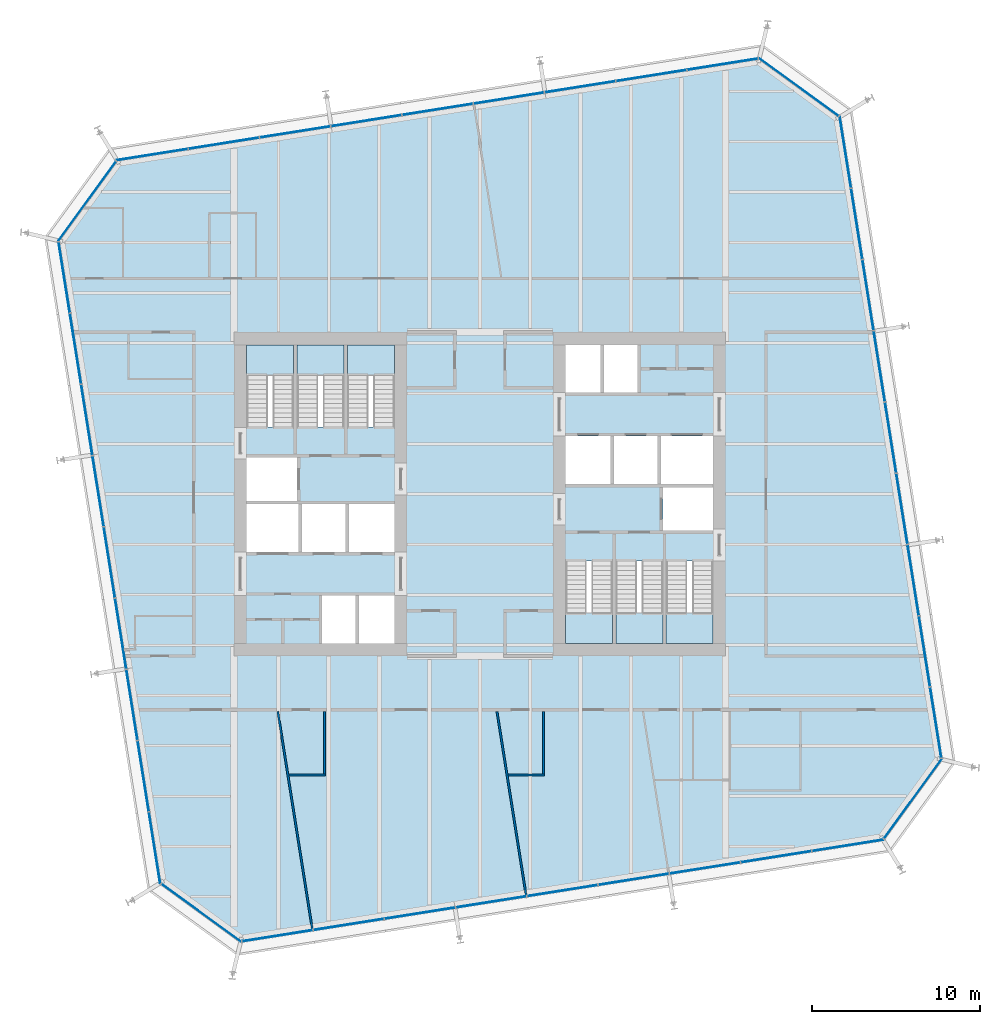
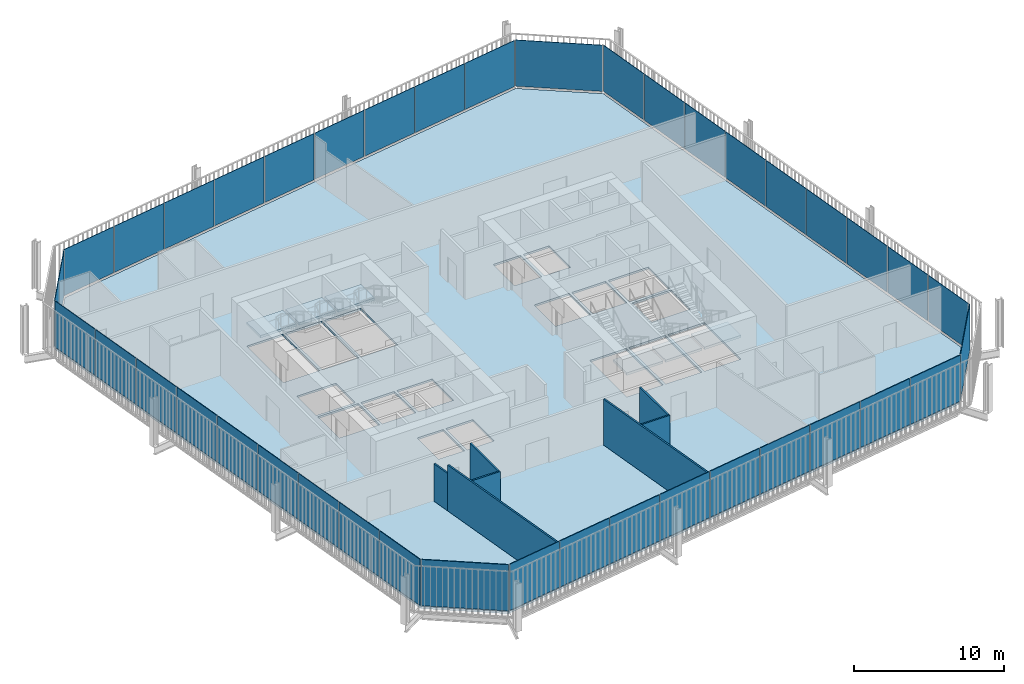
# One storey, part 16 of 21: 40 plates, 7 slabs, 7 walls, 14 elements without a shape of their own.
"""IFC4 building model written with IfcOpenShell, lengths in metres."""

from ifc_helpers import new_model, si_unit, direction, frame, frame_2d, origin, place, context, subcontext, project, spatial, polyline, rectangle, outline, extrude, material, layer, layer_set, type_object, element, aggregate, save


model = new_model("IFC4")

# Units and contexts
model_context = context("Model", 3, precision=1e-05, world=origin(), true_north=direction((0.0, 1.0)))
body_context = subcontext(model_context, "Body", "Model", "MODEL_VIEW")
ifc_project = project(units=[si_unit("LENGTHUNIT", "METRE"), si_unit("AREAUNIT", "SQUARE_METRE"), si_unit("VOLUMEUNIT", "CUBIC_METRE"), si_unit("PLANEANGLEUNIT", "RADIAN"), si_unit("MASSUNIT", "GRAM", prefix="KILO")], contexts=[model_context])

# Site, building, storey
site_placement = place(None, origin())
site = spatial("IfcSite", under=ifc_project, at=site_placement, CompositionType="ELEMENT")
building_placement = place(site_placement, origin())
building = spatial("IfcBuilding", under=site, at=building_placement, Name="Millrace Tower", CompositionType="ELEMENT")
storey_placement = place(building_placement, frame((0.0, 0.0, 164.60009765625)))
storey = spatial("IfcBuildingStorey", under=building, at=storey_placement, Name="L37", CompositionType="ELEMENT", Elevation=164.60009765625)

# Curtain wall, plate
ifc_material_1 = material(Name="Aluminium and glass", Category="aluminium")
ifc_layer_1 = layer(ifc_material_1, 0.14990234375)
ifc_layer_set_1 = layer_set([ifc_layer_1], Name="Aluminium and glass")
curtain_wall_type = type_object("IfcCurtainWallType", Name="CW-1 office vision curtain wall", PredefinedType="NOTDEFINED", material=ifc_layer_set_1)
placement_1 = place(storey_placement, origin())
curtain_wall_1 = element("IfcCurtainWall", 1, at=placement_1, inside=storey, type_object=curtain_wall_type, Name="Curtain wall C-F01 L37", PredefinedType="NOTDEFINED")
ifc_material_2 = material(Name="Glass", Category="glass")
ifc_layer_2 = layer(ifc_material_2, 0.0439453125)
ifc_layer_set_2 = layer_set([ifc_layer_2], Name="Glass")
plate_type = type_object("IfcPlateType", Name="CW-1 office vision curtain wall triple-glazed vision panel", PredefinedType="CURTAIN_PANEL", material=ifc_layer_set_2)
placement_2 = place(storey_placement, frame((0.0, 0.0, 0.139892578125)))
plate_1 = element("IfcPlate", 2, at=placement_2, type_object=plate_type, Name="CW1 panel C-F01.1", PredefinedType="CURTAIN_PANEL", context=body_context, shape_type="SweptSolid", body=[
    extrude(outline(polyline([(-18.988037109375, -23.254638671875), (-14.260009765625, -26.689697265625), (-14.2490234375, -26.6435546875), (-18.962158203125, -23.218994140625), (-18.988037109375, -23.254638671875)])), origin(), (0.0, 0.0, 1.0), 3.760009765625),
])
aggregate(curtain_wall_1, [plate_1])

# Curtain wall, plates
curtain_wall_2 = element("IfcCurtainWall", 3, at=placement_1, inside=storey, type_object=curtain_wall_type, Name="Curtain wall C-F02 L37", PredefinedType="NOTDEFINED")
plate_2 = element("IfcPlate", 4, at=placement_2, type_object=plate_type, Name="CW1 panel C-F02.1", PredefinedType="CURTAIN_PANEL", context=body_context, shape_type="SweptSolid", body=[
    extrude(outline(polyline([(-14.15625, -26.67333984375), (-9.973388671875, -26.0107421875), (-9.980224609375, -25.96728515625), (-14.1630859375, -26.6298828125), (-14.15625, -26.67333984375)])), origin(), (0.0, 0.0, 1.0), 3.760009765625),
])
plate_3 = element("IfcPlate", 5, at=placement_2, type_object=plate_type, Name="CW1 panel C-F02.2", PredefinedType="CURTAIN_PANEL", context=body_context, shape_type="SweptSolid", body=[
    extrude(outline(polyline([(-9.9091796875, -26.000732421875), (-5.726318359375, -25.338134765625), (-5.733154296875, -25.294677734375), (-9.916015625, -25.957275390625), (-9.9091796875, -26.000732421875)])), origin(), (0.0, 0.0, 1.0), 3.760009765625),
])
plate_4 = element("IfcPlate", 6, at=placement_2, type_object=plate_type, Name="CW1 panel C-F02.3", PredefinedType="CURTAIN_PANEL", context=body_context, shape_type="SweptSolid", body=[
    extrude(outline(polyline([(-5.662109375, -25.327880859375), (-1.479248046875, -24.66552734375), (-1.486083984375, -24.6220703125), (-5.6689453125, -25.284423828125), (-5.662109375, -25.327880859375)])), origin(), (0.0, 0.0, 1.0), 3.760009765625),
])
plate_5 = element("IfcPlate", 7, at=placement_2, type_object=plate_type, Name="CW1 panel C-F02.4", PredefinedType="CURTAIN_PANEL", context=body_context, shape_type="SweptSolid", body=[
    extrude(outline(polyline([(-1.4150390625, -24.6552734375), (2.767822265625, -23.992919921875), (2.760986328125, -23.949462890625), (-1.421875, -24.61181640625), (-1.4150390625, -24.6552734375)])), origin(), (0.0, 0.0, 1.0), 3.760009765625),
])
plate_6 = element("IfcPlate", 8, at=placement_2, type_object=plate_type, Name="CW1 panel C-F02.5", PredefinedType="CURTAIN_PANEL", context=body_context, shape_type="SweptSolid", body=[
    extrude(outline(polyline([(2.83203125, -23.982666015625), (7.014892578125, -23.320068359375), (7.008056640625, -23.276611328125), (2.8251953125, -23.939208984375), (2.83203125, -23.982666015625)])), origin(), (0.0, 0.0, 1.0), 3.760009765625),
])
plate_7 = element("IfcPlate", 9, at=placement_2, type_object=plate_type, Name="CW1 panel C-F02.6", PredefinedType="CURTAIN_PANEL", context=body_context, shape_type="SweptSolid", body=[
    extrude(outline(polyline([(7.0791015625, -23.31005859375), (11.261962890625, -22.6474609375), (11.255126953125, -22.60400390625), (7.072265625, -23.2666015625), (7.0791015625, -23.31005859375)])), origin(), (0.0, 0.0, 1.0), 3.760009765625),
])
plate_8 = element("IfcPlate", 10, at=placement_2, type_object=plate_type, Name="CW1 panel C-F02.7", PredefinedType="CURTAIN_PANEL", context=body_context, shape_type="SweptSolid", body=[
    extrude(outline(polyline([(11.326171875, -22.63720703125), (15.509033203125, -21.974853515625), (15.502197265625, -21.931396484375), (11.3193359375, -22.59375), (11.326171875, -22.63720703125)])), origin(), (0.0, 0.0, 1.0), 3.760009765625),
])
plate_9 = element("IfcPlate", 11, at=placement_2, type_object=plate_type, Name="CW1 panel C-F02.8", PredefinedType="CURTAIN_PANEL", context=body_context, shape_type="SweptSolid", body=[
    extrude(outline(polyline([(15.5732421875, -21.964599609375), (19.756103515625, -21.30224609375), (19.749267578125, -21.2587890625), (15.56640625, -21.921142578125), (15.5732421875, -21.964599609375)])), origin(), (0.0, 0.0, 1.0), 3.760009765625),
])
plate_10 = element("IfcPlate", 12, at=placement_2, type_object=plate_type, Name="CW1 panel C-F02.9", PredefinedType="CURTAIN_PANEL", context=body_context, shape_type="SweptSolid", body=[
    extrude(outline(polyline([(19.8203125, -21.2919921875), (24.042724609375, -20.623291015625), (24.01806640625, -20.58251953125), (19.8134765625, -21.24853515625), (19.8203125, -21.2919921875)])), origin(), (0.0, 0.0, 1.0), 3.760009765625),
])
aggregate(curtain_wall_2, [plate_2, plate_3, plate_4, plate_5, plate_6, plate_7, plate_8, plate_9, plate_10])

# Curtain wall, plate
curtain_wall_3 = element("IfcCurtainWall", 13, at=placement_1, inside=storey, type_object=curtain_wall_type, Name="Curtain wall C-F03 L37", PredefinedType="NOTDEFINED")
plate_11 = element("IfcPlate", 14, at=placement_2, type_object=plate_type, Name="CW1 panel C-F03.1", PredefinedType="CURTAIN_PANEL", context=body_context, shape_type="SweptSolid", body=[
    extrude(outline(polyline([(24.104736328125, -20.5380859375), (27.539794921875, -15.81005859375), (27.493408203125, -15.799072265625), (24.069091796875, -20.51220703125), (24.104736328125, -20.5380859375)])), origin(), (0.0, 0.0, 1.0), 3.760009765625),
])
aggregate(curtain_wall_3, [plate_11])

# Curtain wall, plates
curtain_wall_4 = element("IfcCurtainWall", 15, at=placement_1, inside=storey, type_object=curtain_wall_type, Name="Curtain wall C-F04 L37", PredefinedType="NOTDEFINED")
plate_12 = element("IfcPlate", 16, at=placement_2, type_object=plate_type, Name="CW1 panel C-F04.1", PredefinedType="CURTAIN_PANEL", context=body_context, shape_type="SweptSolid", body=[
    extrude(outline(polyline([(27.5234375, -15.706298828125), (26.86083984375, -11.5234375), (26.8173828125, -11.5302734375), (27.47998046875, -15.713134765625), (27.5234375, -15.706298828125)])), origin(), (0.0, 0.0, 1.0), 3.760009765625),
])
plate_13 = element("IfcPlate", 17, at=placement_2, type_object=plate_type, Name="CW1 panel C-F04.2", PredefinedType="CURTAIN_PANEL", context=body_context, shape_type="SweptSolid", body=[
    extrude(outline(polyline([(26.8505859375, -11.459228515625), (26.188232421875, -7.2763671875), (26.144775390625, -7.283203125), (26.80712890625, -11.466064453125), (26.8505859375, -11.459228515625)])), origin(), (0.0, 0.0, 1.0), 3.760009765625),
])
plate_14 = element("IfcPlate", 18, at=placement_2, type_object=plate_type, Name="CW1 panel C-F04.3", PredefinedType="CURTAIN_PANEL", context=body_context, shape_type="SweptSolid", body=[
    extrude(outline(polyline([(26.177978515625, -7.212158203125), (25.515380859375, -3.029296875), (25.471923828125, -3.0361328125), (26.134521484375, -7.218994140625), (26.177978515625, -7.212158203125)])), origin(), (0.0, 0.0, 1.0), 3.760009765625),
])
plate_15 = element("IfcPlate", 19, at=placement_2, type_object=plate_type, Name="CW1 panel C-F04.4", PredefinedType="CURTAIN_PANEL", context=body_context, shape_type="SweptSolid", body=[
    extrude(outline(polyline([(25.50537109375, -2.965087890625), (24.8427734375, 1.2177734375), (24.79931640625, 1.2109375), (25.4619140625, -2.971923828125), (25.50537109375, -2.965087890625)])), origin(), (0.0, 0.0, 1.0), 3.760009765625),
])
plate_16 = element("IfcPlate", 20, at=placement_2, type_object=plate_type, Name="CW1 panel C-F04.5", PredefinedType="CURTAIN_PANEL", context=body_context, shape_type="SweptSolid", body=[
    extrude(outline(polyline([(24.832763671875, 1.281982421875), (24.170166015625, 5.46484375), (24.126708984375, 5.4580078125), (24.789306640625, 1.275146484375), (24.832763671875, 1.281982421875)])), origin(), (0.0, 0.0, 1.0), 3.760009765625),
])
plate_17 = element("IfcPlate", 21, at=placement_2, type_object=plate_type, Name="CW1 panel C-F04.6", PredefinedType="CURTAIN_PANEL", context=body_context, shape_type="SweptSolid", body=[
    extrude(outline(polyline([(24.159912109375, 5.529052734375), (23.49755859375, 9.7119140625), (23.4541015625, 9.705078125), (24.116455078125, 5.522216796875), (24.159912109375, 5.529052734375)])), origin(), (0.0, 0.0, 1.0), 3.760009765625),
])
plate_18 = element("IfcPlate", 22, at=placement_2, type_object=plate_type, Name="CW1 panel C-F04.7", PredefinedType="CURTAIN_PANEL", context=body_context, shape_type="SweptSolid", body=[
    extrude(outline(polyline([(23.4873046875, 9.776123046875), (22.82470703125, 13.958984375), (22.78125, 13.9521484375), (23.44384765625, 9.769287109375), (23.4873046875, 9.776123046875)])), origin(), (0.0, 0.0, 1.0), 3.760009765625),
])
plate_19 = element("IfcPlate", 23, at=placement_2, type_object=plate_type, Name="CW1 panel C-F04.8", PredefinedType="CURTAIN_PANEL", context=body_context, shape_type="SweptSolid", body=[
    extrude(outline(polyline([(22.814697265625, 14.023193359375), (22.152099609375, 18.2060546875), (22.108642578125, 18.19921875), (22.771240234375, 14.016357421875), (22.814697265625, 14.023193359375)])), origin(), (0.0, 0.0, 1.0), 3.760009765625),
])
plate_20 = element("IfcPlate", 24, at=placement_2, type_object=plate_type, Name="CW1 panel C-F04.9", PredefinedType="CURTAIN_PANEL", context=body_context, shape_type="SweptSolid", body=[
    extrude(outline(polyline([(22.14208984375, 18.270263671875), (21.47314453125, 22.492919921875), (21.4326171875, 22.468017578125), (22.0986328125, 18.263427734375), (22.14208984375, 18.270263671875)])), origin(), (0.0, 0.0, 1.0), 3.760009765625),
])
aggregate(curtain_wall_4, [plate_12, plate_13, plate_14, plate_15, plate_16, plate_17, plate_18, plate_19, plate_20])

# Curtain wall, plate
curtain_wall_5 = element("IfcCurtainWall", 25, at=placement_1, inside=storey, type_object=curtain_wall_type, Name="Curtain wall C-F05 L37", PredefinedType="NOTDEFINED")
plate_21 = element("IfcPlate", 26, at=placement_2, type_object=plate_type, Name="CW1 panel C-F05.1", PredefinedType="CURTAIN_PANEL", context=body_context, shape_type="SweptSolid", body=[
    extrude(outline(polyline([(21.38818359375, 22.5546875), (16.66015625, 25.98974609375), (16.64892578125, 25.943359375), (21.3623046875, 22.51904296875), (21.38818359375, 22.5546875)])), origin(), (0.0, 0.0, 1.0), 3.760009765625),
])
aggregate(curtain_wall_5, [plate_21])

# Curtain wall, plates
curtain_wall_6 = element("IfcCurtainWall", 27, at=placement_1, inside=storey, type_object=curtain_wall_type, Name="Curtain wall C-F06 L37", PredefinedType="NOTDEFINED")
plate_22 = element("IfcPlate", 28, at=placement_2, type_object=plate_type, Name="CW1 panel C-F06.1", PredefinedType="CURTAIN_PANEL", context=body_context, shape_type="SweptSolid", body=[
    extrude(outline(polyline([(16.55615234375, 25.973388671875), (12.373291015625, 25.310791015625), (12.380126953125, 25.267333984375), (16.56298828125, 25.929931640625), (16.55615234375, 25.973388671875)])), origin(), (0.0, 0.0, 1.0), 3.760009765625),
])
plate_23 = element("IfcPlate", 29, at=placement_2, type_object=plate_type, Name="CW1 panel C-F06.2", PredefinedType="CURTAIN_PANEL", context=body_context, shape_type="SweptSolid", body=[
    extrude(outline(polyline([(12.30908203125, 25.300537109375), (8.126220703125, 24.63818359375), (8.133056640625, 24.5947265625), (12.31591796875, 25.257080078125), (12.30908203125, 25.300537109375)])), origin(), (0.0, 0.0, 1.0), 3.760009765625),
])
plate_24 = element("IfcPlate", 30, at=placement_2, type_object=plate_type, Name="CW1 panel C-F06.3", PredefinedType="CURTAIN_PANEL", context=body_context, shape_type="SweptSolid", body=[
    extrude(outline(polyline([(8.06201171875, 24.6279296875), (3.879150390625, 23.965576171875), (3.885986328125, 23.922119140625), (8.06884765625, 24.58447265625), (8.06201171875, 24.6279296875)])), origin(), (0.0, 0.0, 1.0), 3.760009765625),
])
plate_25 = element("IfcPlate", 31, at=placement_2, type_object=plate_type, Name="CW1 panel C-F06.4", PredefinedType="CURTAIN_PANEL", context=body_context, shape_type="SweptSolid", body=[
    extrude(outline(polyline([(3.81494140625, 23.955322265625), (-0.367919921875, 23.292724609375), (-0.361083984375, 23.249267578125), (3.82177734375, 23.911865234375), (3.81494140625, 23.955322265625)])), origin(), (0.0, 0.0, 1.0), 3.760009765625),
])
plate_26 = element("IfcPlate", 32, at=placement_2, type_object=plate_type, Name="CW1 panel C-F06.5", PredefinedType="CURTAIN_PANEL", context=body_context, shape_type="SweptSolid", body=[
    extrude(outline(polyline([(-0.43212890625, 23.28271484375), (-4.614990234375, 22.6201171875), (-4.60791015625, 22.57666015625), (-0.42529296875, 23.2392578125), (-0.43212890625, 23.28271484375)])), origin(), (0.0, 0.0, 1.0), 3.760009765625),
])
plate_27 = element("IfcPlate", 33, at=placement_2, type_object=plate_type, Name="CW1 panel C-F06.6", PredefinedType="CURTAIN_PANEL", context=body_context, shape_type="SweptSolid", body=[
    extrude(outline(polyline([(-4.67919921875, 22.60986328125), (-8.862060546875, 21.947509765625), (-8.85498046875, 21.904052734375), (-4.672119140625, 22.56640625), (-4.67919921875, 22.60986328125)])), origin(), (0.0, 0.0, 1.0), 3.760009765625),
])
plate_28 = element("IfcPlate", 34, at=placement_2, type_object=plate_type, Name="CW1 panel C-F06.7", PredefinedType="CURTAIN_PANEL", context=body_context, shape_type="SweptSolid", body=[
    extrude(outline(polyline([(-8.92626953125, 21.937255859375), (-13.109130859375, 21.27490234375), (-13.10205078125, 21.2314453125), (-8.919189453125, 21.893798828125), (-8.92626953125, 21.937255859375)])), origin(), (0.0, 0.0, 1.0), 3.760009765625),
])
plate_29 = element("IfcPlate", 35, at=placement_2, type_object=plate_type, Name="CW1 panel C-F06.8", PredefinedType="CURTAIN_PANEL", context=body_context, shape_type="SweptSolid", body=[
    extrude(outline(polyline([(-13.17333984375, 21.2646484375), (-17.356201171875, 20.60205078125), (-17.34912109375, 20.55859375), (-13.166259765625, 21.22119140625), (-13.17333984375, 21.2646484375)])), origin(), (0.0, 0.0, 1.0), 3.760009765625),
])
plate_30 = element("IfcPlate", 36, at=placement_2, type_object=plate_type, Name="CW1 panel C-F06.9", PredefinedType="CURTAIN_PANEL", context=body_context, shape_type="SweptSolid", body=[
    extrude(outline(polyline([(-17.42041015625, 20.592041015625), (-21.642822265625, 19.923095703125), (-21.617919921875, 19.882568359375), (-17.413330078125, 20.548583984375), (-17.42041015625, 20.592041015625)])), origin(), (0.0, 0.0, 1.0), 3.760009765625),
])
aggregate(curtain_wall_6, [plate_22, plate_23, plate_24, plate_25, plate_26, plate_27, plate_28, plate_29, plate_30])

# Curtain wall, plate
curtain_wall_7 = element("IfcCurtainWall", 37, at=placement_1, inside=storey, type_object=curtain_wall_type, Name="Curtain wall C-F07 L37", PredefinedType="NOTDEFINED")
plate_31 = element("IfcPlate", 38, at=placement_2, type_object=plate_type, Name="CW1 panel C-F07.1", PredefinedType="CURTAIN_PANEL", context=body_context, shape_type="SweptSolid", body=[
    extrude(outline(polyline([(-21.70458984375, 19.838134765625), (-25.139892578125, 15.110107421875), (-25.093505859375, 15.098876953125), (-21.6689453125, 19.812255859375), (-21.70458984375, 19.838134765625)])), origin(), (0.0, 0.0, 1.0), 3.760009765625),
])
aggregate(curtain_wall_7, [plate_31])

# Curtain wall, plates
curtain_wall_8 = element("IfcCurtainWall", 39, at=placement_1, inside=storey, type_object=curtain_wall_type, Name="Curtain wall C-F08 L37", PredefinedType="NOTDEFINED")
plate_32 = element("IfcPlate", 40, at=placement_2, type_object=plate_type, Name="CW1 panel C-F08.1", PredefinedType="CURTAIN_PANEL", context=body_context, shape_type="SweptSolid", body=[
    extrude(outline(polyline([(-25.123291015625, 15.006103515625), (-24.4609375, 10.8232421875), (-24.41748046875, 10.830322265625), (-25.079833984375, 15.01318359375), (-25.123291015625, 15.006103515625)])), origin(), (0.0, 0.0, 1.0), 3.760009765625),
])
plate_33 = element("IfcPlate", 41, at=placement_2, type_object=plate_type, Name="CW1 panel C-F08.2", PredefinedType="CURTAIN_PANEL", context=body_context, shape_type="SweptSolid", body=[
    extrude(outline(polyline([(-24.45068359375, 10.759033203125), (-23.7880859375, 6.576171875), (-23.74462890625, 6.583251953125), (-24.4072265625, 10.76611328125), (-24.45068359375, 10.759033203125)])), origin(), (0.0, 0.0, 1.0), 3.760009765625),
])
plate_34 = element("IfcPlate", 42, at=placement_2, type_object=plate_type, Name="CW1 panel C-F08.3", PredefinedType="CURTAIN_PANEL", context=body_context, shape_type="SweptSolid", body=[
    extrude(outline(polyline([(-23.778076171875, 6.511962890625), (-23.115478515625, 2.3291015625), (-23.072021484375, 2.336181640625), (-23.734619140625, 6.51904296875), (-23.778076171875, 6.511962890625)])), origin(), (0.0, 0.0, 1.0), 3.760009765625),
])
plate_35 = element("IfcPlate", 43, at=placement_2, type_object=plate_type, Name="CW1 panel C-F08.4", PredefinedType="CURTAIN_PANEL", context=body_context, shape_type="SweptSolid", body=[
    extrude(outline(polyline([(-23.105224609375, 2.264892578125), (-22.44287109375, -1.91796875), (-22.3994140625, -1.910888671875), (-23.061767578125, 2.27197265625), (-23.105224609375, 2.264892578125)])), origin(), (0.0, 0.0, 1.0), 3.760009765625),
])
plate_36 = element("IfcPlate", 44, at=placement_2, type_object=plate_type, Name="CW1 panel C-F08.5", PredefinedType="CURTAIN_PANEL", context=body_context, shape_type="SweptSolid", body=[
    extrude(outline(polyline([(-22.4326171875, -1.98193359375), (-21.770263671875, -6.164794921875), (-21.726806640625, -6.157958984375), (-22.38916015625, -1.97509765625), (-22.4326171875, -1.98193359375)])), origin(), (0.0, 0.0, 1.0), 3.760009765625),
])
plate_37 = element("IfcPlate", 45, at=placement_2, type_object=plate_type, Name="CW1 panel C-F08.6", PredefinedType="CURTAIN_PANEL", context=body_context, shape_type="SweptSolid", body=[
    extrude(outline(polyline([(-21.760009765625, -6.22900390625), (-21.097412109375, -10.411865234375), (-21.053955078125, -10.405029296875), (-21.716552734375, -6.22216796875), (-21.760009765625, -6.22900390625)])), origin(), (0.0, 0.0, 1.0), 3.760009765625),
])
plate_38 = element("IfcPlate", 46, at=placement_2, type_object=plate_type, Name="CW1 panel C-F08.7", PredefinedType="CURTAIN_PANEL", context=body_context, shape_type="SweptSolid", body=[
    extrude(outline(polyline([(-21.08740234375, -10.47607421875), (-20.4248046875, -14.658935546875), (-20.38134765625, -14.652099609375), (-21.0439453125, -10.46923828125), (-21.08740234375, -10.47607421875)])), origin(), (0.0, 0.0, 1.0), 3.760009765625),
])
plate_39 = element("IfcPlate", 47, at=placement_2, type_object=plate_type, Name="CW1 panel C-F08.8", PredefinedType="CURTAIN_PANEL", context=body_context, shape_type="SweptSolid", body=[
    extrude(outline(polyline([(-20.41455078125, -14.72314453125), (-19.752197265625, -18.906005859375), (-19.708740234375, -18.899169921875), (-20.37109375, -14.71630859375), (-20.41455078125, -14.72314453125)])), origin(), (0.0, 0.0, 1.0), 3.760009765625),
])
plate_40 = element("IfcPlate", 48, at=placement_2, type_object=plate_type, Name="CW1 panel C-F08.9", PredefinedType="CURTAIN_PANEL", context=body_context, shape_type="SweptSolid", body=[
    extrude(outline(polyline([(-19.741943359375, -18.97021484375), (-19.0732421875, -23.19287109375), (-19.032470703125, -23.16796875), (-19.698486328125, -18.96337890625), (-19.741943359375, -18.97021484375)])), origin(), (0.0, 0.0, 1.0), 3.760009765625),
])
aggregate(curtain_wall_8, [plate_32, plate_33, plate_34, plate_35, plate_36, plate_37, plate_38, plate_39, plate_40])

# Slab
ifc_material_3 = material(Name="Concrete C35 on steel deck", Category="concrete")
ifc_layer_3 = layer(ifc_material_3, 0.159912109375)
ifc_layer_set_3 = layer_set([ifc_layer_3], Name="Concrete C35 on steel deck")
slab_type_1 = type_object("IfcSlabType", Name="Composite floor slab 160 mm", PredefinedType="FLOOR", material=ifc_layer_set_3)
slab_1_placement = place(storey_placement, frame((0.0, 0.0, -0.16015625)))
element("IfcSlab", 49, at=slab_1_placement, inside=storey, type_object=slab_type_1, Name="SL-C-L37-S1", PredefinedType="FLOOR", context=body_context, shape_type="SweptSolid", body=[
    extrude(outline(polyline([(-18.983642578125, -23.137939453125), (-14.235595703125, -26.587646484375), (23.988037109375, -20.53369140625), (27.437744140625, -15.78564453125), (21.3837890625, 22.43798828125), (16.635498046875, 25.8876953125), (-21.587890625, 19.833740234375), (-25.03759765625, 15.08544921875), (-18.983642578125, -23.137939453125)]), holes=[polyline([(-9.39990234375, -8.89990234375), (-7.39990234375, -8.89990234375), (-7.39990234375, -6.050048828125), (-9.39990234375, -6.050048828125), (-9.39990234375, -8.89990234375)]), polyline([(-7.199951171875, -8.89990234375), (-5.10009765625, -8.89990234375), (-5.10009765625, -6.050048828125), (-7.199951171875, -6.050048828125), (-7.199951171875, -8.89990234375)]), polyline([(-13.89990234375, -3.449951171875), (-10.800048828125, -3.449951171875), (-10.800048828125, -0.60009765625), (-13.89990234375, -0.60009765625), (-13.89990234375, -3.449951171875)]), polyline([(-10.60009765625, -3.449951171875), (-8.0, -3.449951171875), (-8.0, -0.60009765625), (-10.60009765625, -0.60009765625), (-10.60009765625, -3.449951171875)]), polyline([(-7.800048828125, -3.449951171875), (-5.10009765625, -3.449951171875), (-5.10009765625, -0.60009765625), (-7.800048828125, -0.60009765625), (-7.800048828125, -3.449951171875)]), polyline([(-13.89990234375, -0.39990234375), (-10.89990234375, -0.39990234375), (-10.89990234375, 2.179931640625), (-13.89990234375, 2.179931640625), (-13.89990234375, -0.39990234375)]), polyline([(-13.89990234375, 4.0), (-11.10009765625, 4.0), (-11.10009765625, 8.89990234375), (-13.89990234375, 8.89990234375), (-13.89990234375, 4.0)]), polyline([(-10.89990234375, 4.0), (-8.10009765625, 4.0), (-8.10009765625, 8.89990234375), (-10.89990234375, 8.89990234375), (-10.89990234375, 4.0)]), polyline([(-7.89990234375, 4.0), (-5.10009765625, 4.0), (-5.10009765625, 8.89990234375), (-7.89990234375, 8.89990234375), (-7.89990234375, 4.0)]), polyline([(7.39990234375, 6.050048828125), (9.39990234375, 6.050048828125), (9.39990234375, 8.89990234375), (7.39990234375, 8.89990234375), (7.39990234375, 6.050048828125)]), polyline([(5.10009765625, 6.050048828125), (7.199951171875, 6.050048828125), (7.199951171875, 8.89990234375), (5.10009765625, 8.89990234375), (5.10009765625, 6.050048828125)]), polyline([(10.800048828125, 0.60009765625), (13.89990234375, 0.60009765625), (13.89990234375, 3.449951171875), (10.800048828125, 3.449951171875), (10.800048828125, 0.60009765625)]), polyline([(8.0, 0.60009765625), (10.60009765625, 0.60009765625), (10.60009765625, 3.449951171875), (8.0, 3.449951171875), (8.0, 0.60009765625)]), polyline([(5.10009765625, 0.60009765625), (7.800048828125, 0.60009765625), (7.800048828125, 3.449951171875), (5.10009765625, 3.449951171875), (5.10009765625, 0.60009765625)]), polyline([(10.89990234375, -2.179931640625), (13.89990234375, -2.179931640625), (13.89990234375, 0.39990234375), (10.89990234375, 0.39990234375), (10.89990234375, -2.179931640625)]), polyline([(11.10009765625, -8.89990234375), (13.89990234375, -8.89990234375), (13.89990234375, -4.0), (11.10009765625, -4.0), (11.10009765625, -8.89990234375)]), polyline([(8.10009765625, -8.89990234375), (10.89990234375, -8.89990234375), (10.89990234375, -4.0), (8.10009765625, -4.0), (8.10009765625, -8.89990234375)]), polyline([(5.10009765625, -8.89990234375), (7.89990234375, -8.89990234375), (7.89990234375, -4.0), (5.10009765625, -4.0), (5.10009765625, -8.89990234375)])]), origin(), (0.0, 0.0, 1.0), 0.16015625),
])

# Stair, slab
ifc_material_4 = material(Name="Concrete C35", Category="concrete")
stair_type = type_object("IfcStairType", Name="Exit stair", PredefinedType="HALF_TURN_STAIR", material=ifc_material_4)
stair_1 = element("IfcStair", 50, at=placement_1, inside=storey, type_object=stair_type, Name="Stair 1 W L37", PredefinedType="HALF_TURN_STAIR")
ifc_material_5 = material(Name="Concrete C40", Category="concrete")
ifc_layer_4 = layer(ifc_material_5, 0.199951171875)
ifc_layer_set_4 = layer_set([ifc_layer_4], Name="Concrete C40")
slab_type_2 = type_object("IfcSlabType", Name="Stair landing", PredefinedType="LANDING", material=ifc_layer_set_4)
placement_3 = place(storey_placement, frame((0.0, 0.0, 1.75)))
slab_2 = element("IfcSlab", 51, at=placement_3, type_object=slab_type_2, Name="ST12 landing 1", PredefinedType="LANDING", context=body_context, shape_type="SweptSolid", body=[
    extrude(outline(polyline([(-13.89990234375, 7.080078125), (-11.10009765625, 7.080078125), (-11.10009765625, 8.89990234375), (-13.89990234375, 8.89990234375), (-13.89990234375, 7.080078125)])), origin(), (0.0, 0.0, 1.0), 0.199951171875),
])
aggregate(stair_1, [slab_2])

stair_2 = element("IfcStair", 52, at=placement_1, inside=storey, type_object=stair_type, Name="Stair 2 W L37", PredefinedType="HALF_TURN_STAIR")
slab_3 = element("IfcSlab", 53, at=placement_3, type_object=slab_type_2, Name="ST12 landing 1", PredefinedType="LANDING", context=body_context, shape_type="SweptSolid", body=[
    extrude(outline(polyline([(-10.89990234375, 7.080078125), (-8.10009765625, 7.080078125), (-8.10009765625, 8.89990234375), (-10.89990234375, 8.89990234375), (-10.89990234375, 7.080078125)])), origin(), (0.0, 0.0, 1.0), 0.199951171875),
])
aggregate(stair_2, [slab_3])

stair_3 = element("IfcStair", 54, at=placement_1, inside=storey, type_object=stair_type, Name="Stair 3 W L37", PredefinedType="HALF_TURN_STAIR")
slab_4 = element("IfcSlab", 55, at=placement_3, type_object=slab_type_2, Name="ST12 landing 1", PredefinedType="LANDING", context=body_context, shape_type="SweptSolid", body=[
    extrude(outline(polyline([(-7.89990234375, 7.080078125), (-5.10009765625, 7.080078125), (-5.10009765625, 8.89990234375), (-7.89990234375, 8.89990234375), (-7.89990234375, 7.080078125)])), origin(), (0.0, 0.0, 1.0), 0.199951171875),
])
aggregate(stair_3, [slab_4])

stair_4 = element("IfcStair", 56, at=placement_1, inside=storey, type_object=stair_type, Name="Stair 1 E L37", PredefinedType="HALF_TURN_STAIR")
slab_5 = element("IfcSlab", 57, at=placement_3, type_object=slab_type_2, Name="ST12 landing 1", PredefinedType="LANDING", context=body_context, shape_type="SweptSolid", body=[
    extrude(outline(polyline([(11.10009765625, -8.89990234375), (13.89990234375, -8.89990234375), (13.89990234375, -7.080078125), (11.10009765625, -7.080078125), (11.10009765625, -8.89990234375)])), origin(), (0.0, 0.0, 1.0), 0.199951171875),
])
aggregate(stair_4, [slab_5])

stair_5 = element("IfcStair", 58, at=placement_1, inside=storey, type_object=stair_type, Name="Stair 2 E L37", PredefinedType="HALF_TURN_STAIR")
slab_6 = element("IfcSlab", 59, at=placement_3, type_object=slab_type_2, Name="ST12 landing 1", PredefinedType="LANDING", context=body_context, shape_type="SweptSolid", body=[
    extrude(outline(polyline([(8.10009765625, -8.89990234375), (10.89990234375, -8.89990234375), (10.89990234375, -7.080078125), (8.10009765625, -7.080078125), (8.10009765625, -8.89990234375)])), origin(), (0.0, 0.0, 1.0), 0.199951171875),
])
aggregate(stair_5, [slab_6])

stair_6 = element("IfcStair", 60, at=placement_1, inside=storey, type_object=stair_type, Name="Stair 3 E L37", PredefinedType="HALF_TURN_STAIR")
slab_7 = element("IfcSlab", 61, at=placement_3, type_object=slab_type_2, Name="ST12 landing 1", PredefinedType="LANDING", context=body_context, shape_type="SweptSolid", body=[
    extrude(outline(polyline([(5.10009765625, -8.89990234375), (7.89990234375, -8.89990234375), (7.89990234375, -7.080078125), (5.10009765625, -7.080078125), (5.10009765625, -8.89990234375)])), origin(), (0.0, 0.0, 1.0), 0.199951171875),
])
aggregate(stair_6, [slab_7])

# Walls
ifc_material_6 = material(Name="Gypsum board partition")
ifc_layer_5 = layer(ifc_material_6, 0.1201171875)
ifc_layer_set_5 = layer_set([ifc_layer_5], Name="Gypsum board partition")
wall_type = type_object("IfcWallType", Name="Partition wall 120", PredefinedType="PARTITIONING", material=ifc_layer_set_5)
wall_1_placement = place(storey_placement, frame((-12.042236328125, -12.94873046875, 0.0), z_axis=(0.0, 0.0, 1.0), x_axis=(0.156414950645, -0.987691431174, 0.0)))
element("IfcWall", 62, at=wall_1_placement, inside=storey, type_object=wall_type, Name="Partition wall L37", PredefinedType="PARTITIONING", context=body_context, shape_type="SweptSolid", body=[
    extrude(rectangle(XDim=1.46875, YDim=0.1201171875, at=frame_2d((0.734375, 0.0))), origin(), (0.0, 0.0, 1.0), 3.04638671875),
])
wall_2_placement = place(storey_placement, frame((-11.8125, -14.3994140625, 0.0), z_axis=(0.0, 0.0, 1.0), x_axis=(0.156519187065, -0.98767491822, 0.0)))
element("IfcWall", 63, at=wall_2_placement, inside=storey, type_object=wall_type, Name="Partition wall L37", PredefinedType="PARTITIONING", context=body_context, shape_type="SweptSolid", body=[
    extrude(rectangle(XDim=11.689208984375, YDim=0.1201171875, at=frame_2d((5.8447265625, 0.0))), origin(), (0.0, 0.0, 1.0), 3.739990234375),
])
wall_3_placement = place(storey_placement, frame((1.0185546875, -12.94873046875, 0.0), z_axis=(0.0, 0.0, 1.0), x_axis=(0.156525396529, -0.987673934171, 0.0)))
element("IfcWall", 64, at=wall_3_placement, inside=storey, type_object=wall_type, Name="Partition wall L37", PredefinedType="PARTITIONING", context=body_context, shape_type="SweptSolid", body=[
    extrude(rectangle(XDim=11.11474609375, YDim=0.1201171875, at=frame_2d((5.557373046875, 0.0))), origin(), (0.0, 0.0, 1.0), 3.739990234375),
])
wall_4_placement = place(storey_placement, frame((-11.3798828125, -16.75, 0.0), z_axis=(0.0, 0.0, 1.0), x_axis=(1.0, 0.0, 0.0)))
element("IfcWall", 65, at=wall_4_placement, inside=storey, type_object=wall_type, Name="Partition wall L37", PredefinedType="PARTITIONING", context=body_context, shape_type="SweptSolid", body=[
    extrude(rectangle(XDim=2.181884765625, YDim=0.1201171875, at=frame_2d((1.0908203125, 0.0))), origin(), (0.0, 0.0, 1.0), 3.739990234375),
])
wall_5_placement = place(storey_placement, frame((1.680908203125, -16.75, 0.0), z_axis=(0.0, 0.0, 1.0), x_axis=(1.0, 0.0, 0.0)))
element("IfcWall", 66, at=wall_5_placement, inside=storey, type_object=wall_type, Name="Partition wall L37", PredefinedType="PARTITIONING", context=body_context, shape_type="SweptSolid", body=[
    extrude(rectangle(XDim=2.18212890625, YDim=0.1201171875, at=frame_2d((1.091064453125, 0.0))), origin(), (0.0, 0.0, 1.0), 3.739990234375),
])
for number, where, z_axis, x_axis, name in (
    (67, (3.802978515625, -16.68994140625, 0.0), (0.0, 0.0, 1.0), (0.0, 1.0, 0.0), "Partition wall L37"),
    (68, (-9.258056640625, -16.68994140625, 0.0), (0.0, 0.0, 1.0), (0.0, 1.0, 0.0), "Partition wall L37"),
):
    element("IfcWall", number, at=place(storey_placement, frame(where, z_axis=z_axis, x_axis=x_axis)), inside=storey, type_object=wall_type, Name=name, PredefinedType="PARTITIONING", context=body_context, shape_type="SweptSolid", body=[
        extrude(rectangle(XDim=3.739990234375, YDim=0.1201171875, at=frame_2d((1.8701171875, 0.0))), origin(), (0.0, 0.0, 1.0), 3.739990234375),
    ])

save(model, "model.ifc")
